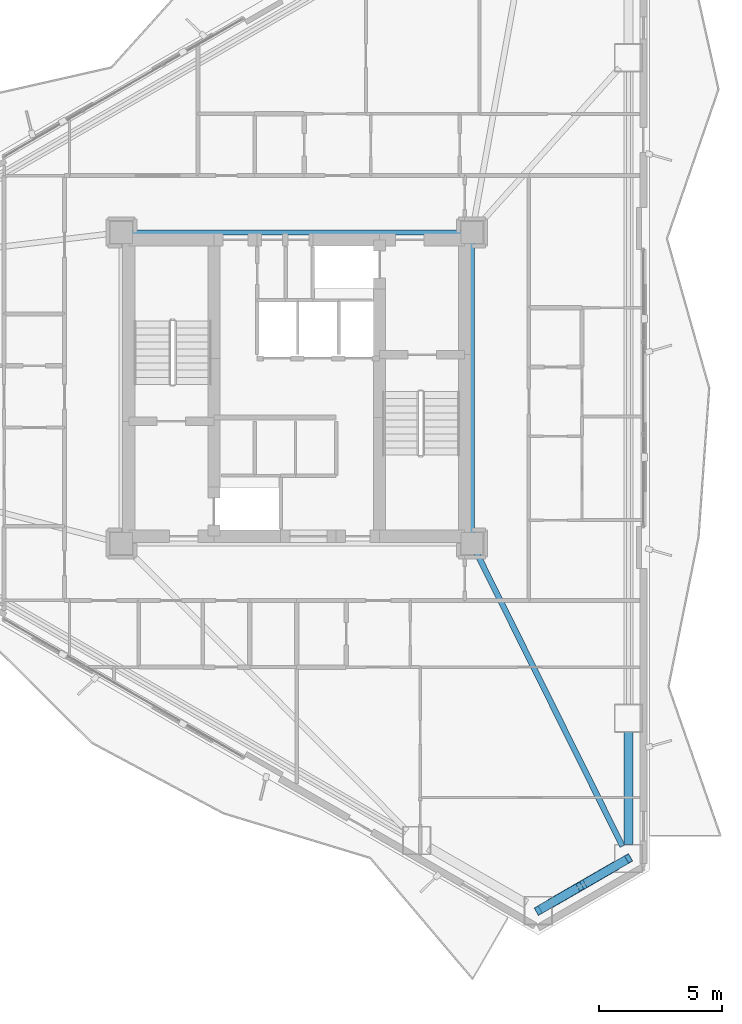
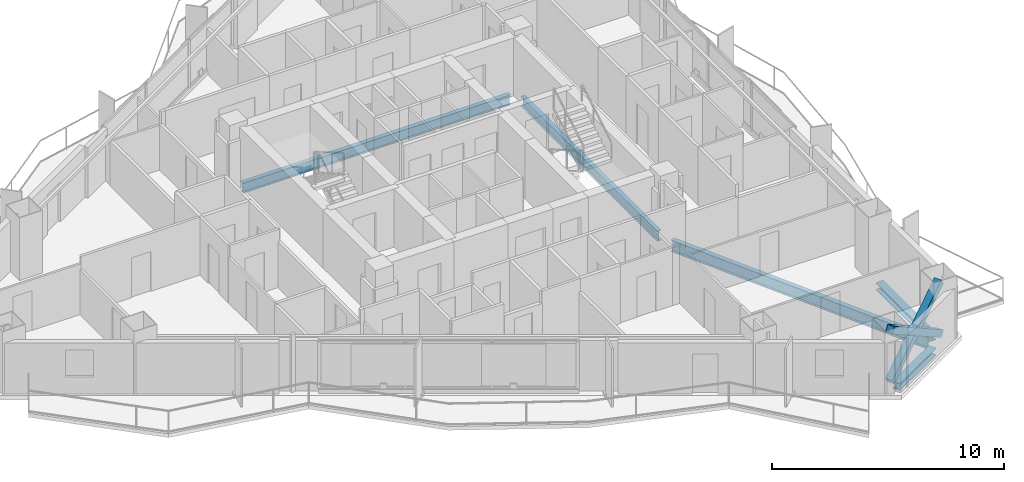
# One storey, part 7 of 23: 5 beams, 3 members.
"""IFC4 building model written with IfcOpenShell, lengths in metres."""

from ifc_helpers import new_model, si_unit, direction, frame, origin, origin_2d, place, context, subcontext, project, spatial, hollow_rectangle, i_section, extrude, material, material_profile, profile_set, type_object, element, save


model = new_model("IFC4")

# Units and contexts
model_context = context("Model", 3, precision=1e-05, world=origin(), true_north=direction((0.0, 1.0)))
body_context = subcontext(model_context, "Body", "Model", "MODEL_VIEW")
ifc_project = project(units=[si_unit("LENGTHUNIT", "METRE"), si_unit("AREAUNIT", "SQUARE_METRE"), si_unit("VOLUMEUNIT", "CUBIC_METRE"), si_unit("PLANEANGLEUNIT", "RADIAN"), si_unit("MASSUNIT", "GRAM", prefix="KILO")], contexts=[model_context])

# Site, building, storey
site_placement = place(None, origin())
site = spatial("IfcSite", under=ifc_project, at=site_placement, CompositionType="ELEMENT")
building_placement = place(site_placement, origin())
building = spatial("IfcBuilding", under=site, at=building_placement, Name="Mersakhor Tower and Convention Hall", CompositionType="ELEMENT")
storey_placement = place(building_placement, frame((0.0, 0.0, 80.10009765625)))
storey = spatial("IfcBuildingStorey", under=building, at=storey_placement, Name="L21", CompositionType="ELEMENT", Elevation=80.10009765625)

# Beams
ifc_material_1 = material(Name="Steel S355", Category="steel")
ifc_material_profile_1 = material_profile(ifc_material_1, i_section(OverallWidth=0.2099609375, OverallDepth=0.53662109375, WebThickness=0.0107421875, FlangeThickness=0.017333984375, at=origin_2d()), Name="UB 533x210x101")
ifc_profile_set_1 = profile_set([ifc_material_profile_1], Name="Steel S355")
beam_type_1 = type_object("IfcBeamType", Name="BM-FB-533", PredefinedType="BEAM", material=ifc_profile_set_1)
beam_1_placement = place(storey_placement, frame((22.330078125, 33.050048828125, -0.5185546875), z_axis=(1.0, 0.0, 0.0), x_axis=(0.0, 1.0, 0.0)))
element("IfcBeam", 1, at=beam_1_placement, inside=storey, type_object=beam_type_1, Name="L21 Core Ring Tie Beam CRB-2", PredefinedType="BEAM", context=body_context, shape_type="SweptSolid", body=[
    extrude(i_section(OverallWidth=0.2099609375, OverallDepth=0.53662109375, WebThickness=0.0107421875, FlangeThickness=0.017333984375, at=origin_2d()), origin(), (0.0, 0.0, 1.0), 13.33984375),
])
beam_2_placement = place(storey_placement, frame((36.10009765625, 32.6201171875, -0.5185546875), z_axis=(0.0, -1.0, 0.0), x_axis=(1.0, 0.0, 0.0)))
element("IfcBeam", 2, at=beam_2_placement, inside=storey, type_object=beam_type_1, Name="L21 Core Ring Tie Beam CRB-3", PredefinedType="BEAM", context=body_context, shape_type="SweptSolid", body=[
    extrude(i_section(OverallWidth=0.2099609375, OverallDepth=0.53662109375, WebThickness=0.0107421875, FlangeThickness=0.017333984375, at=origin_2d()), origin(), (0.0, 0.0, 1.0), 11.740234375),
])
ifc_material_2 = material(Name="Steel S355", Category="steel")
ifc_material_profile_2 = material_profile(ifc_material_2, i_section(OverallWidth=0.22900390625, OverallDepth=0.6123046875, WebThickness=0.011962890625, FlangeThickness=0.01953125, at=origin_2d()), Name="UB 610x229x125")
ifc_profile_set_2 = profile_set([ifc_material_profile_2], Name="Steel S355")
beam_type_2 = type_object("IfcBeamType", Name="BM-PR-610", PredefinedType="BEAM", material=ifc_profile_set_2)
beam_3_placement = place(storey_placement, frame((36.291259765625, 20.06494140625, -0.55615234375), z_axis=(0.444993792004, -0.895533653794, 0.0), x_axis=(0.895533653794, 0.444993792004, 0.0)))
element("IfcBeam", 3, at=beam_3_placement, inside=storey, type_object=beam_type_2, Name="L21 Primary Floor Girder FG-4", PredefinedType="BEAM", context=body_context, shape_type="SweptSolid", body=[
    extrude(i_section(OverallWidth=0.22900390625, OverallDepth=0.6123046875, WebThickness=0.011962890625, FlangeThickness=0.01953125, at=origin_2d()), origin(), (0.0, 0.0, 1.0), 13.250244140625),
])
ifc_material_3 = material(Name="Steel S355", Category="steel")
ifc_material_profile_3 = material_profile(ifc_material_3, i_section(OverallWidth=0.374755859375, OverallDepth=0.37451171875, WebThickness=0.0166015625, FlangeThickness=0.027099609375, at=origin_2d()), Name="UC 356x368x202")
ifc_profile_set_3 = profile_set([ifc_material_profile_3], Name="Steel S355")
beam_type_3 = type_object("IfcBeamType", Name="BM-SPD-UC356", PredefinedType="SPANDREL", material=ifc_profile_set_3)
beam_4_placement = place(storey_placement, frame((42.4345703125, 12.8232421875, -0.4375), z_axis=(0.0, -1.0, 0.0), x_axis=(1.0, 0.0, 0.0)))
element("IfcBeam", 4, at=beam_4_placement, inside=storey, type_object=beam_type_3, Name="L21 Perimeter Spandrel Beam SPB-07", PredefinedType="SPANDREL", context=body_context, shape_type="SweptSolid", body=[
    extrude(i_section(OverallWidth=0.374755859375, OverallDepth=0.37451171875, WebThickness=0.0166015625, FlangeThickness=0.027099609375, at=origin_2d()), origin(), (0.0, 0.0, 1.0), 4.566162109375),
])
beam_5_placement = place(storey_placement, frame((41.9541015625, 7.424560546875, -0.4375), z_axis=(-0.866052319632, -0.499953377486, 0.0), x_axis=(0.499953377486, -0.866052319632, 0.0)))
element("IfcBeam", 5, at=beam_5_placement, inside=storey, type_object=beam_type_3, Name="L21 Perimeter Spandrel Beam SPB-08", PredefinedType="SPANDREL", context=body_context, shape_type="SweptSolid", body=[
    extrude(i_section(OverallWidth=0.374755859375, OverallDepth=0.37451171875, WebThickness=0.0166015625, FlangeThickness=0.027099609375, at=origin_2d()), origin(), (0.0, 0.0, 1.0), 3.111572265625),
])

# Members
ifc_material_4 = material(Name="Steel S460", Category="steel")
ifc_material_profile_4 = material_profile(ifc_material_4, hollow_rectangle(XDim=0.35009765625, YDim=0.35009765625, WallThickness=0.02001953125, at=origin_2d()), Name="SHS 350x350x20")
ifc_profile_set_4 = profile_set([ifc_material_profile_4], Name="Steel S460")
member_type = type_object("IfcMemberType", Name="MB-BRC-SHS350", PredefinedType="BRACE", material=ifc_profile_set_4)
member_placement = place(storey_placement, frame((42.4345703125, 7.701904296875, 0.14990234375), z_axis=(-0.725633725484, -0.418933054415, 0.545848689986), x_axis=(0.49998946241, -0.866031487579, 0.0)))
element("IfcMember", 6, at=member_placement, inside=storey, type_object=member_type, Name="L21 Chamfer Braced Frame Diagonal CB-2A", PredefinedType="BRACE", context=body_context, shape_type="SweptSolid", body=[
    extrude(hollow_rectangle(XDim=0.35009765625, YDim=0.35009765625, WallThickness=0.02001953125, at=origin_2d()), origin(), (0.0, 0.0, 1.0), 5.0380859375),
])
for number, where, z_axis, x_axis, name in (
    (7, (38.77880859375, 5.59130859375, 0.14990234375), (0.725635037856, 0.418918980369, 0.545857746783), (-0.499976186015, 0.866039152359, 0.0), "L21 Chamfer Braced Frame Diagonal CB-2B Lower Half"),
    (8, (40.751220703125, 6.730224609375, 1.6337890625), (0.725684866011, 0.418886985747, 0.545816057307), (-0.499921796684, 0.866070549782, 0.0), "L21 Chamfer Braced Frame Diagonal CB-2B Upper Half"),
):
    element("IfcMember", number, at=place(storey_placement, frame(where, z_axis=z_axis, x_axis=x_axis)), inside=storey, type_object=member_type, Name=name, PredefinedType="BRACE", context=body_context, shape_type="SweptSolid", body=[
        extrude(hollow_rectangle(XDim=0.35009765625, YDim=0.35009765625, WallThickness=0.02001953125, at=origin_2d()), origin(), (0.0, 0.0, 1.0), 2.319580078125),
    ])

save(model, "model.ifc")
